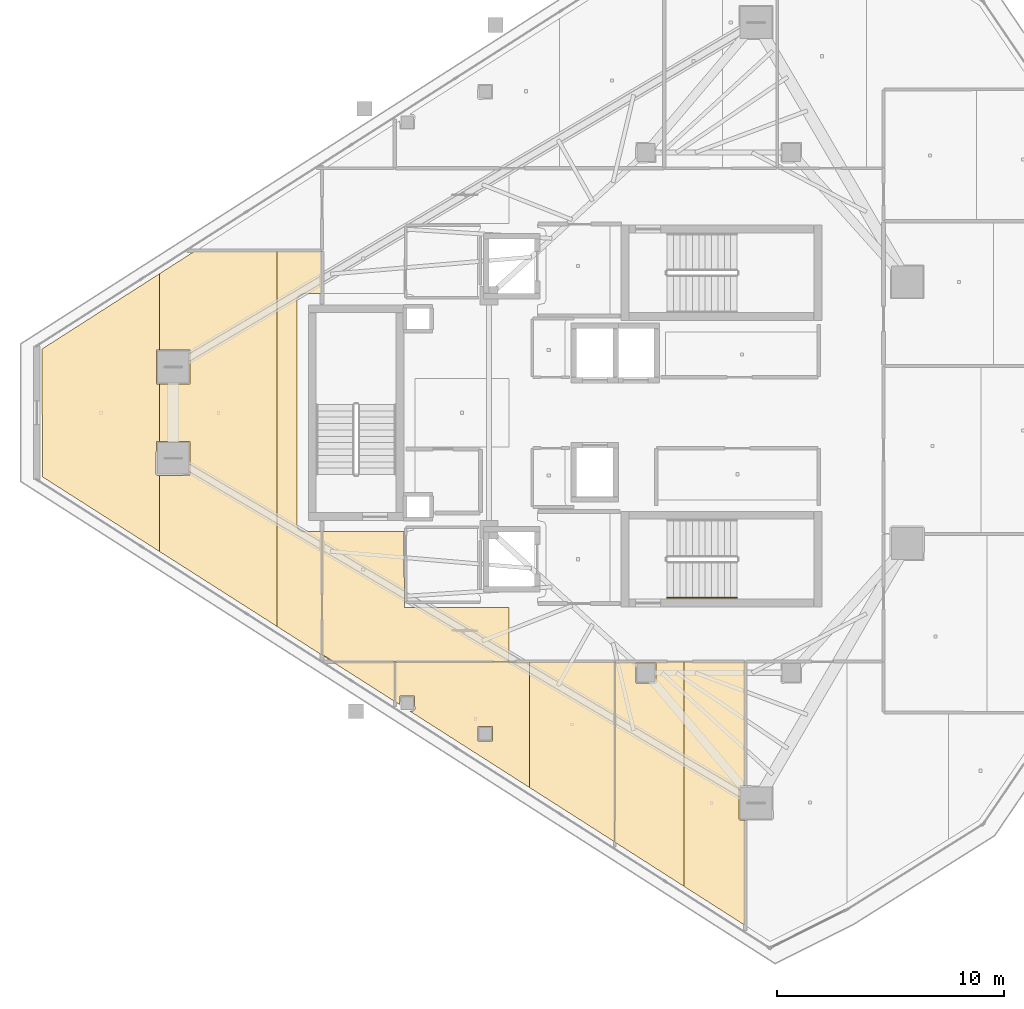
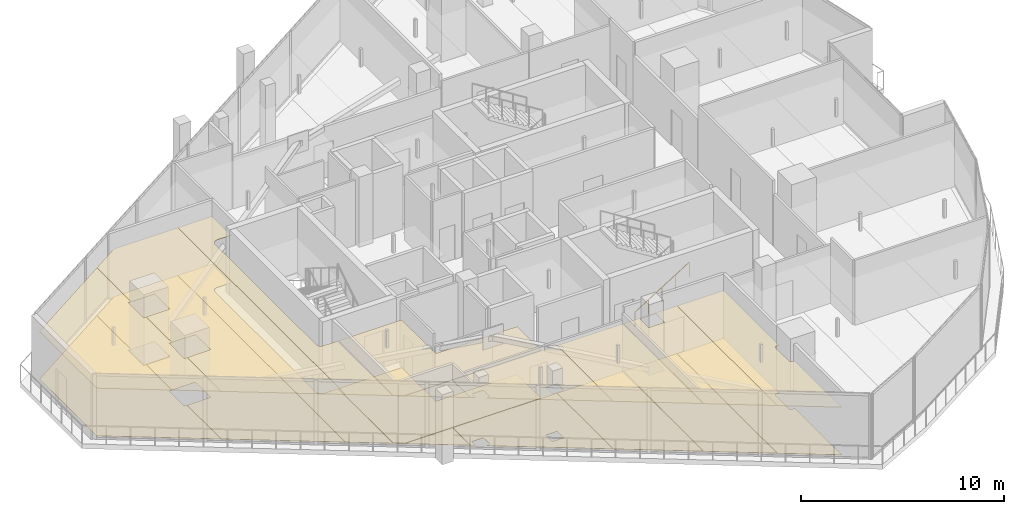
# One storey, part 26 of 30: 16 coverings, 1 railing.
"""IFC4 building model written with IfcOpenShell, lengths in metres."""

from ifc_helpers import new_model, si_unit, direction, frame, origin, origin_2d, place, context, subcontext, project, spatial, polyline, circle, outline, extrude, material, layer, layer_set, type_object, element, save


model = new_model("IFC4")

# Units and contexts
model_context = context("Model", 3, precision=1e-05, world=origin(), true_north=direction((0.0, 1.0)))
body_context = subcontext(model_context, "Body", "Model", "MODEL_VIEW")
ifc_project = project(units=[si_unit("LENGTHUNIT", "METRE"), si_unit("AREAUNIT", "SQUARE_METRE"), si_unit("VOLUMEUNIT", "CUBIC_METRE"), si_unit("PLANEANGLEUNIT", "RADIAN"), si_unit("MASSUNIT", "GRAM", prefix="KILO")], contexts=[model_context])

# Site, building, storey
site_placement = place(None, origin())
site = spatial("IfcSite", under=ifc_project, at=site_placement, CompositionType="ELEMENT")
building_placement = place(site_placement, origin())
building = spatial("IfcBuilding", under=site, at=building_placement, Name="Qorvath Tower", CompositionType="ELEMENT")
storey_placement = place(building_placement, frame((0.0, 0.0, 289.199951171875)))
storey = spatial("IfcBuildingStorey", under=building, at=storey_placement, Name="L67", CompositionType="ELEMENT", Elevation=289.199951171875)

# Coverings
ifc_material_1 = material(Name="Acoustic mineral fibre ceiling tile", Category="gypsum")
ifc_layer_1 = layer(ifc_material_1, 0.030029296875)
ifc_layer_set_1 = layer_set([ifc_layer_1], Name="COV-CEIL")
covering_type_1 = type_object("IfcCoveringType", Name="COV-CEIL", PredefinedType="CEILING", material=ifc_layer_set_1)
covering_1_placement = place(storey_placement, frame((0.0, 0.0, 2.85009765625)))
element("IfcCovering", 1, at=covering_1_placement, inside=storey, type_object=covering_type_1, Name="L67 Suspended Acoustic Ceiling 010", PredefinedType="CEILING", context=body_context, shape_type="SweptSolid", body=[
    extrude(outline(polyline([(-34.22509765625, -8.580078125), (-34.251220703125, -5.239990234375), (-37.844970703125, -5.239990234375), (-37.844970703125, -10.635986328125), (-37.361572265625, -10.945068359375), (-29.614990234375, -10.945068359375), (-29.614990234375, -8.5771484375), (-34.22509765625, -8.580078125)])), origin(), (0.0, 0.0, 1.0), 0.030029296875),
])
covering_2_placement = place(storey_placement, frame((0.0, 0.0, 2.85009765625)))
element("IfcCovering", 2, at=covering_2_placement, inside=storey, type_object=covering_type_1, Name="L67 Suspended Acoustic Ceiling 019", PredefinedType="CEILING", context=body_context, shape_type="SweptSolid", body=[
    extrude(outline(polyline([(-34.002685546875, -13.12744140625), (-28.726318359375, -16.495849609375), (-28.726318359375, -10.962890625), (-34.64501953125, -10.962890625), (-34.64501953125, -12.716796875), (-34.439208984375, -12.848388671875), (-34.421630859375, -12.47509765625), (-33.786865234375, -12.47509765625), (-33.769287109375, -13.0673828125), (-33.8291015625, -13.12744140625), (-34.002685546875, -13.12744140625)]), holes=[polyline([(-30.99462890625, -14.441650390625), (-30.99462890625, -13.806884765625), (-30.35986328125, -13.806884765625), (-30.35986328125, -14.441650390625), (-30.99462890625, -14.441650390625)])]), origin(), (0.0, 0.0, 1.0), 0.030029296875),
])
covering_3_placement = place(storey_placement, frame((0.0, 0.0, 2.85009765625)))
element("IfcCovering", 3, at=covering_3_placement, inside=storey, type_object=covering_type_1, Name="L67 Suspended Acoustic Ceiling 020", PredefinedType="CEILING", context=body_context, shape_type="SweptSolid", body=[
    extrude(outline(polyline([(-28.726318359375, -10.962890625), (-28.726318359375, -16.495849609375), (-24.97900390625, -18.887939453125), (-24.97900390625, -10.962890625), (-28.726318359375, -10.962890625)])), origin(), (0.0, 0.0, 1.0), 0.030029296875),
])
covering_4_placement = place(storey_placement, frame((0.0, 0.0, 2.85009765625)))
element("IfcCovering", 4, at=covering_4_placement, inside=storey, type_object=covering_type_1, Name="L67 Suspended Acoustic Ceiling 021", PredefinedType="CEILING", context=body_context, shape_type="SweptSolid", body=[
    extrude(outline(polyline([(-24.97216796875, -18.89892578125), (-21.91845703125, -20.850830078125), (-21.91845703125, -10.962890625), (-24.961181640625, -10.962890625), (-24.97216796875, -18.89892578125)]), holes=[polyline([(-24.04248046875, -11.892333984375), (-24.04248046875, -11.007568359375), (-23.157470703125, -11.007568359375), (-23.157470703125, -11.892333984375), (-24.04248046875, -11.892333984375)])]), origin(), (0.0, 0.0, 1.0), 0.030029296875),
])
covering_5_placement = place(storey_placement, frame((0.0, 0.0, 2.85009765625)))
element("IfcCovering", 5, at=covering_5_placement, inside=storey, type_object=covering_type_1, Name="L67 Suspended Acoustic Ceiling 022", PredefinedType="CEILING", context=body_context, shape_type="SweptSolid", body=[
    extrude(outline(polyline([(-21.91845703125, -10.962890625), (-21.91845703125, -20.850830078125), (-19.237548828125, -22.564208984375), (-19.237548828125, -17.935546875), (-19.45068359375, -17.935546875), (-19.510498046875, -17.87548828125), (-19.510498046875, -16.4755859375), (-19.45068359375, -16.41552734375), (-19.237548828125, -16.41552734375), (-19.237548828125, -10.962890625), (-21.91845703125, -10.962890625)])), origin(), (0.0, 0.0, 1.0), 0.030029296875),
])
covering_6_placement = place(storey_placement, frame((0.0, 0.0, 2.85009765625)))
element("IfcCovering", 6, at=covering_6_placement, inside=storey, type_object=covering_type_1, Name="L67 Suspended Acoustic Ceiling 034", PredefinedType="CEILING", context=body_context, shape_type="SweptSolid", body=[
    extrude(outline(polyline([(-50.171630859375, 2.805908203125), (-50.1640625, -2.821533203125), (-45.002197265625, -6.113037109375), (-45.002197265625, -2.766357421875), (-45.1025390625, -2.767578125), (-45.16259765625, -2.70751953125), (-45.14501953125, -1.26513671875), (-45.002197265625, -1.26513671875), (-45.002197265625, 1.26513671875), (-45.14501953125, 1.26513671875), (-45.14501953125, 2.75), (-45.002197265625, 2.75), (-45.002197265625, 6.118408203125), (-50.171630859375, 2.805908203125)])), origin(), (0.0, 0.0, 1.0), 0.030029296875),
])
covering_7_placement = place(storey_placement, frame((0.0, 0.0, 2.85009765625)))
element("IfcCovering", 7, at=covering_7_placement, inside=storey, type_object=covering_type_1, Name="L67 Suspended Acoustic Ceiling 035", PredefinedType="CEILING", context=body_context, shape_type="SweptSolid", body=[
    extrude(outline(polyline([(-45.002197265625, 6.118408203125), (-45.002197265625, 2.75), (-43.66015625, 2.75), (-43.66015625, 1.26513671875), (-45.002197265625, 1.26513671875), (-45.002197265625, -1.26513671875), (-43.66015625, -1.26513671875), (-43.66015625, -2.75), (-45.002197265625, -2.766357421875), (-45.002197265625, -6.113037109375), (-39.83251953125, -9.4091796875), (-39.83251953125, 7.12109375), (-43.439453125, 7.11962890625), (-45.002197265625, 6.118408203125)])), origin(), (0.0, 0.0, 1.0), 0.030029296875),
])
covering_8_placement = place(storey_placement, frame((0.0, 0.0, 2.85009765625)))
element("IfcCovering", 8, at=covering_8_placement, inside=storey, type_object=covering_type_1, Name="L67 Suspended Acoustic Ceiling 036", PredefinedType="CEILING", context=body_context, shape_type="SweptSolid", body=[
    extrude(outline(polyline([(-39.83251953125, 7.12109375), (-39.83251953125, -9.4091796875), (-34.6630859375, -12.705322265625), (-34.6630859375, -10.962890625), (-37.365234375, -10.962890625), (-37.860595703125, -10.647216796875), (-37.863037109375, -5.239990234375), (-38.699951171875, -5.239990234375), (-38.876708984375, -5.166748046875), (-38.949951171875, -4.989990234375), (-38.949951171875, 4.989990234375), (-38.876708984375, 5.166748046875), (-38.699951171875, 5.239990234375), (-37.863037109375, 5.239990234375), (-37.863037109375, 7.1220703125), (-39.83251953125, 7.12109375)])), origin(), (0.0, 0.0, 1.0), 0.030029296875),
])
ifc_material_2 = material(Name="Low-VOC modular carpet tile", Category="textile")
ifc_layer_2 = layer(ifc_material_2, 0.014892578125)
ifc_layer_set_2 = layer_set([ifc_layer_2], Name="COV-FLOOR-CPT")
covering_type_2 = type_object("IfcCoveringType", Name="COV-FLOOR-CPT", PredefinedType="FLOORING", material=ifc_layer_set_2)
covering_9_placement = place(storey_placement, origin())
element("IfcCovering", 9, at=covering_9_placement, inside=storey, type_object=covering_type_2, Name="L67 Floor Finish 019", PredefinedType="FLOORING", context=body_context, shape_type="SweptSolid", body=[
    extrude(outline(polyline([(-34.002685546875, -13.12744140625), (-28.726318359375, -16.495849609375), (-28.726318359375, -10.962890625), (-34.64501953125, -10.962890625), (-34.64501953125, -12.716796875), (-34.439208984375, -12.848388671875), (-34.421630859375, -12.47509765625), (-33.786865234375, -12.47509765625), (-33.769287109375, -13.0673828125), (-33.8291015625, -13.12744140625), (-34.002685546875, -13.12744140625)]), holes=[polyline([(-30.99462890625, -14.441650390625), (-30.99462890625, -13.806884765625), (-30.35986328125, -13.806884765625), (-30.35986328125, -14.441650390625), (-30.99462890625, -14.441650390625)])]), origin(), (0.0, 0.0, 1.0), 0.01513671875),
])
covering_10_placement = place(storey_placement, origin())
element("IfcCovering", 10, at=covering_10_placement, inside=storey, type_object=covering_type_2, Name="L67 Floor Finish 020", PredefinedType="FLOORING", context=body_context, shape_type="SweptSolid", body=[
    extrude(outline(polyline([(-28.726318359375, -10.962890625), (-28.726318359375, -16.495849609375), (-24.97900390625, -18.887939453125), (-24.97900390625, -10.962890625), (-28.726318359375, -10.962890625)])), origin(), (0.0, 0.0, 1.0), 0.01513671875),
])
covering_11_placement = place(storey_placement, origin())
element("IfcCovering", 11, at=covering_11_placement, inside=storey, type_object=covering_type_2, Name="L67 Floor Finish 021", PredefinedType="FLOORING", context=body_context, shape_type="SweptSolid", body=[
    extrude(outline(polyline([(-24.97216796875, -18.89892578125), (-21.91845703125, -20.850830078125), (-21.91845703125, -10.962890625), (-24.961181640625, -10.962890625), (-24.97216796875, -18.89892578125)]), holes=[polyline([(-24.04248046875, -11.892333984375), (-24.04248046875, -11.007568359375), (-23.157470703125, -11.007568359375), (-23.157470703125, -11.892333984375), (-24.04248046875, -11.892333984375)])]), origin(), (0.0, 0.0, 1.0), 0.01513671875),
])
covering_12_placement = place(storey_placement, origin())
element("IfcCovering", 12, at=covering_12_placement, inside=storey, type_object=covering_type_2, Name="L67 Floor Finish 022", PredefinedType="FLOORING", context=body_context, shape_type="SweptSolid", body=[
    extrude(outline(polyline([(-21.91845703125, -10.962890625), (-21.91845703125, -20.850830078125), (-19.237548828125, -22.564208984375), (-19.237548828125, -17.935546875), (-19.45068359375, -17.935546875), (-19.510498046875, -17.87548828125), (-19.510498046875, -16.4755859375), (-19.45068359375, -16.41552734375), (-19.237548828125, -16.41552734375), (-19.237548828125, -10.962890625), (-21.91845703125, -10.962890625)])), origin(), (0.0, 0.0, 1.0), 0.01513671875),
])
covering_13_placement = place(storey_placement, origin())
element("IfcCovering", 13, at=covering_13_placement, inside=storey, type_object=covering_type_2, Name="L67 Floor Finish 034", PredefinedType="FLOORING", context=body_context, shape_type="SweptSolid", body=[
    extrude(outline(polyline([(-50.171630859375, 2.805908203125), (-50.1640625, -2.821533203125), (-45.002197265625, -6.113037109375), (-45.002197265625, -2.766357421875), (-45.1025390625, -2.767578125), (-45.16259765625, -2.70751953125), (-45.14501953125, -1.26513671875), (-45.002197265625, -1.26513671875), (-45.002197265625, 1.26513671875), (-45.14501953125, 1.26513671875), (-45.14501953125, 2.75), (-45.002197265625, 2.75), (-45.002197265625, 6.118408203125), (-50.171630859375, 2.805908203125)])), origin(), (0.0, 0.0, 1.0), 0.01513671875),
])
covering_14_placement = place(storey_placement, origin())
element("IfcCovering", 14, at=covering_14_placement, inside=storey, type_object=covering_type_2, Name="L67 Floor Finish 035", PredefinedType="FLOORING", context=body_context, shape_type="SweptSolid", body=[
    extrude(outline(polyline([(-45.002197265625, 6.118408203125), (-45.002197265625, 2.75), (-43.66015625, 2.75), (-43.66015625, 1.26513671875), (-45.002197265625, 1.26513671875), (-45.002197265625, -1.26513671875), (-43.66015625, -1.26513671875), (-43.66015625, -2.75), (-45.002197265625, -2.766357421875), (-45.002197265625, -6.113037109375), (-39.83251953125, -9.4091796875), (-39.83251953125, 7.12109375), (-43.439453125, 7.11962890625), (-45.002197265625, 6.118408203125)])), origin(), (0.0, 0.0, 1.0), 0.01513671875),
])
covering_15_placement = place(storey_placement, origin())
element("IfcCovering", 15, at=covering_15_placement, inside=storey, type_object=covering_type_2, Name="L67 Floor Finish 036", PredefinedType="FLOORING", context=body_context, shape_type="SweptSolid", body=[
    extrude(outline(polyline([(-39.83251953125, 7.12109375), (-39.83251953125, -9.4091796875), (-34.6630859375, -12.705322265625), (-34.6630859375, -10.962890625), (-37.365234375, -10.962890625), (-37.860595703125, -10.647216796875), (-37.863037109375, -5.239990234375), (-38.699951171875, -5.239990234375), (-38.876708984375, -5.166748046875), (-38.949951171875, -4.989990234375), (-38.949951171875, 4.989990234375), (-38.876708984375, 5.166748046875), (-38.699951171875, 5.239990234375), (-37.863037109375, 5.239990234375), (-37.863037109375, 7.1220703125), (-39.83251953125, 7.12109375)])), origin(), (0.0, 0.0, 1.0), 0.01513671875),
])
ifc_material_3 = material(Name="Polished epoxy terrazzo flooring", Category="concrete")
ifc_layer_3 = layer(ifc_material_3, 0.02001953125)
ifc_layer_set_3 = layer_set([ifc_layer_3], Name="COV-FLOOR-TRZ")
covering_type_3 = type_object("IfcCoveringType", Name="COV-FLOOR-TRZ", PredefinedType="FLOORING", material=ifc_layer_set_3)
covering_16_placement = place(storey_placement, origin())
element("IfcCovering", 16, at=covering_16_placement, inside=storey, type_object=covering_type_3, Name="L67 Floor Finish 010", PredefinedType="FLOORING", context=body_context, shape_type="SweptSolid", body=[
    extrude(outline(polyline([(-34.22509765625, -8.580078125), (-34.251220703125, -5.239990234375), (-37.844970703125, -5.239990234375), (-37.844970703125, -10.635986328125), (-37.361572265625, -10.945068359375), (-29.614990234375, -10.945068359375), (-29.614990234375, -8.5771484375), (-34.22509765625, -8.580078125)])), origin(), (0.0, 0.0, 1.0), 0.01513671875),
])

# Railing
ifc_material_4 = material(Name="Brushed stainless steel AISI 304", Category="steel")
railing_type = type_object("IfcRailingType", Name="RL-STR-HND", PredefinedType="HANDRAIL", material=ifc_material_4)
railing_placement = place(storey_placement, frame((-22.669921875, -8.14990234375, 0.175048828125)))
element("IfcRailing", 17, at=railing_placement, inside=storey, type_object=railing_type, Name="L67 TS2 stair handrail 1", PredefinedType="HANDRAIL", context=body_context, shape_type="SweptSolid", body=[
    extrude(circle(Radius=0.02392578125, at=origin_2d()), frame((0.0, 0.0, 0.8759765625), z_axis=(0.847979421464, 0.0, 0.530029150871), x_axis=(0.0, 1.0, 0.0)), (0.0, 0.0, 1.0), 3.632080078125),
    extrude(circle(Radius=0.02099609375, at=origin_2d()), origin(), (0.0, 0.0, 1.0), 0.851806640625),
    extrude(circle(Radius=0.02099609375, at=origin_2d()), frame((0.77001953125, 0.0, 0.481201171875)), (0.0, 0.0, 1.0), 0.851806640625),
    extrude(circle(Radius=0.02099609375, at=origin_2d()), frame((1.5400390625, 0.0, 0.96240234375)), (0.0, 0.0, 1.0), 0.851806640625),
    extrude(circle(Radius=0.02099609375, at=origin_2d()), frame((2.309814453125, 0.0, 1.44384765625)), (0.0, 0.0, 1.0), 0.851806640625),
    extrude(circle(Radius=0.02099609375, at=origin_2d()), frame((3.079833984375, 0.0, 1.925048828125)), (0.0, 0.0, 1.0), 0.851806640625),
])

save(model, "model.ifc")
